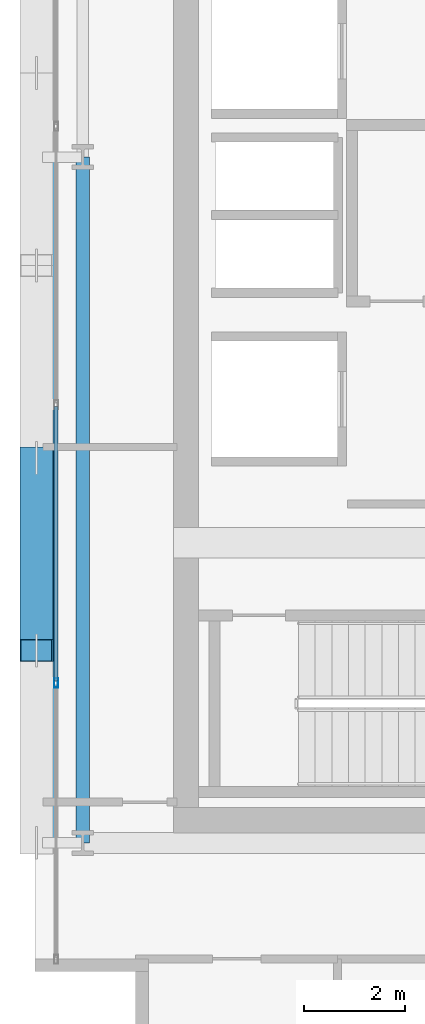
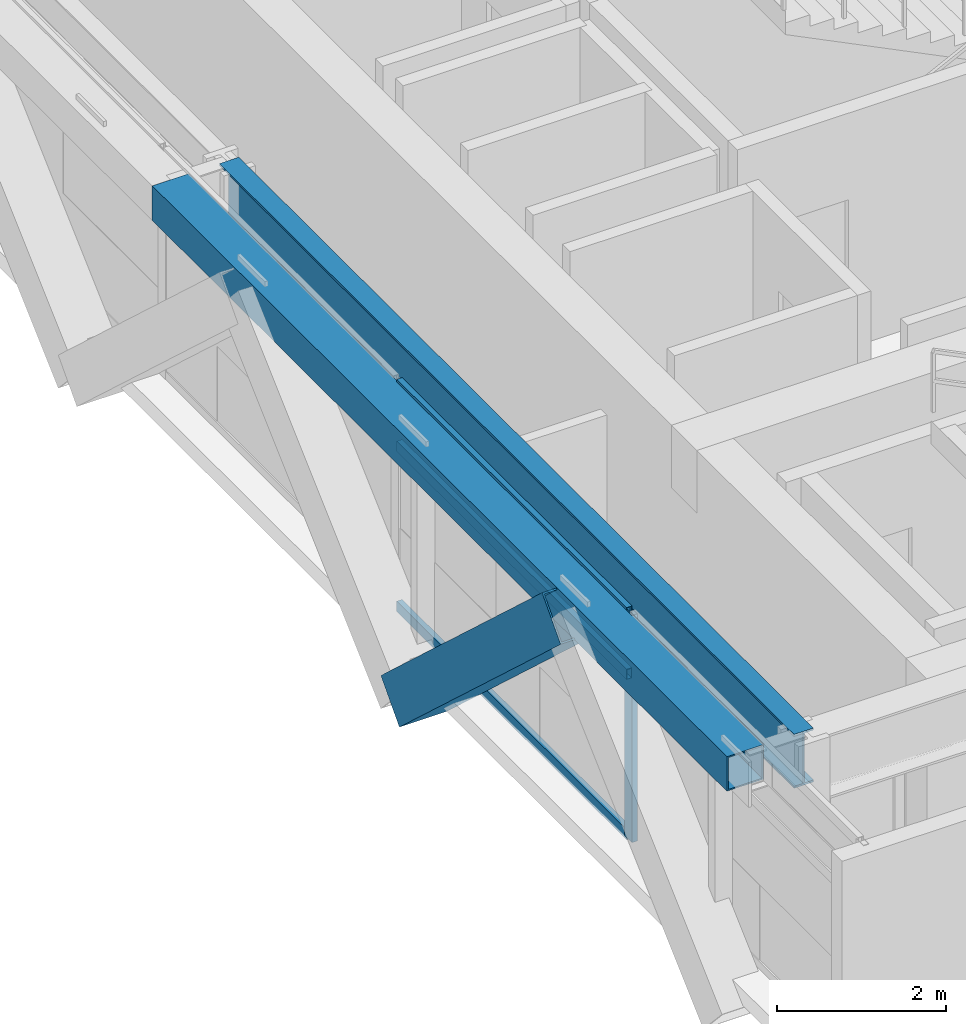
# One storey, part 4 of 32: 5 members, 2 beams, 1 element without a shape of its own.
"""IFC4 building model written with IfcOpenShell, lengths in metres."""

from ifc_helpers import new_model, si_unit, direction, frame, origin, origin_2d, place, context, subcontext, project, spatial, hollow_rectangle, i_section, extrude, source, transform, mapped, material, layer, layer_set, material_profile, profile_set, type_object, element, aggregate, save


model = new_model("IFC4")

# Units and contexts
model_context = context("Model", 3, precision=1e-05, world=origin(), true_north=direction((0.0, 1.0)))
body_context = subcontext(model_context, "Body", "Model", "MODEL_VIEW")
ifc_project = project(units=[si_unit("LENGTHUNIT", "METRE"), si_unit("AREAUNIT", "SQUARE_METRE"), si_unit("VOLUMEUNIT", "CUBIC_METRE"), si_unit("PLANEANGLEUNIT", "RADIAN"), si_unit("MASSUNIT", "GRAM", prefix="KILO")], contexts=[model_context])

# Site, building, storey
site_placement = place(None, origin())
site = spatial("IfcSite", under=ifc_project, at=site_placement, CompositionType="ELEMENT")
building_placement = place(site_placement, origin())
building = spatial("IfcBuilding", under=site, at=building_placement, Name="Ocotamira Hotel", CompositionType="ELEMENT")
storey_placement = place(building_placement, frame((0.0, 0.0, 217.199951171875)))
storey = spatial("IfcBuildingStorey", under=building, at=storey_placement, Name="L55", CompositionType="ELEMENT", Elevation=217.199951171875)

# Beams
ifc_material_1 = material(Name="Steel ASTM A992 Grade 50", Category="steel")
ifc_material_profile_1 = material_profile(ifc_material_1, i_section(OverallWidth=0.26611328125, OverallDepth=0.779052734375, WebThickness=0.0166015625, FlangeThickness=0.030029296875, FilletRadius=0.01806640625, at=origin_2d()), Name="W30X148")
ifc_profile_set_1 = profile_set([ifc_material_profile_1], Name="Steel ASTM A992 Grade 50")
beam_type_1 = type_object("IfcBeamType", Name="BM-GIRD-W30X148", PredefinedType="BEAM", material=ifc_profile_set_1)
shared_shape_1 = source(origin(), body_context, "Body", "SweptSolid", [
    extrude(i_section(OverallWidth=0.26611328125, OverallDepth=0.779052734375, WebThickness=0.0166015625, FlangeThickness=0.030029296875, FilletRadius=0.01806640625, at=origin_2d()), origin(), (0.0, 0.0, 1.0), 13.599853515625),
])
beam_1_placement = place(storey_placement, frame((8.949951171875, 14.550048828125, 2.890625), z_axis=(0.0, 1.0, 0.0), x_axis=(-1.0, 0.0, 0.0)))
element("IfcBeam", 1, at=beam_1_placement, inside=storey, type_object=beam_type_1, Name="L55 Beam X8.95 Y14.55-28.15", PredefinedType="BEAM", context=body_context, shape_type="MappedRepresentation", body=[
    mapped(shared_shape_1, transform((0.0, 0.0, 0.0), scale=1.0)),
])
ifc_material_2 = material(Name="Steel ASTM A500 Grade C", Category="steel")
ifc_material_profile_2 = material_profile(ifc_material_2, hollow_rectangle(XDim=0.5, YDim=0.5, WallThickness=0.02001953125, at=origin_2d()), Name="HSS500X500X20")
ifc_profile_set_2 = profile_set([ifc_material_profile_2], Name="Steel ASTM A500 Grade C")
beam_type_2 = type_object("IfcBeamType", Name="BM-SPAN-HSS500", PredefinedType="USERDEFINED", material=ifc_profile_set_2)
shared_shape_2 = source(origin(), body_context, "Body", "SweptSolid", [
    extrude(hollow_rectangle(XDim=0.5, YDim=0.5, WallThickness=0.02001953125, at=origin_2d()), origin(), (0.0, 0.0, 1.0), 13.599853515625),
])
beam_2_placement = place(storey_placement, frame((8.14990234375, 14.550048828125, 3.030029296875), z_axis=(0.0, 1.0, 0.0), x_axis=(-1.0, 0.0, 0.0)))
element("IfcBeam", 2, at=beam_2_placement, inside=storey, type_object=beam_type_2, Name="L55 Edge Spandrel W Y14.55-28.15", ObjectType="SPANDREL", PredefinedType="USERDEFINED", context=body_context, shape_type="MappedRepresentation", body=[
    mapped(shared_shape_2, transform((0.0, 0.0, 0.0), scale=1.0)),
])

# Member
ifc_material_3 = material(Name="Pale-metal coated steel ASTM A913 Grade 65", Category="steel")
ifc_material_profile_3 = material_profile(ifc_material_3, hollow_rectangle(XDim=0.64990234375, YDim=0.64990234375, WallThickness=0.02197265625, at=origin_2d()), Name="BOX650X650X22")
ifc_profile_set_3 = profile_set([ifc_material_profile_3], Name="Pale-metal coated steel ASTM A913 Grade 65")
member_type_1 = type_object("IfcMemberType", Name="MEM-EXO-BOX650", PredefinedType="BRACE", material=ifc_profile_set_3)
shared_shape_3 = source(origin(), body_context, "Body", "SweptSolid", [
    extrude(hollow_rectangle(XDim=0.64990234375, YDim=0.64990234375, WallThickness=0.02197265625, at=origin_2d()), origin(), (0.0, 0.0, 1.0), 5.185302734375),
])
member_1_placement = place(storey_placement, frame((8.030029296875, 22.183349609375, -0.47998046875), z_axis=(0.0, -0.736056745537, 0.6769198382), x_axis=(1.0, 0.0, 0.0)))
element("IfcMember", 3, at=member_1_placement, inside=storey, type_object=member_type_1, Name="L55 Exoskeleton Diagrid W0.2", PredefinedType="BRACE", context=body_context, shape_type="MappedRepresentation", body=[
    mapped(shared_shape_3, transform((0.0, 0.0, 0.0), scale=1.0)),
])

# Curtain wall, members
ifc_material_4 = material(Name="Anodised pale-metal aluminium and solar glass", Category="aluminium")
ifc_layer = layer(ifc_material_4, 0.199951171875)
ifc_layer_set = layer_set([ifc_layer], Name="Anodised pale-metal aluminium and solar glass")
curtain_wall_type = type_object("IfcCurtainWallType", Name="CW-SYS4-Z3", PredefinedType="NOTDEFINED", material=ifc_layer_set)
curtain_wall_placement = place(storey_placement, origin())
curtain_wall = element("IfcCurtainWall", 4, at=curtain_wall_placement, inside=storey, type_object=curtain_wall_type, Name="L55 Curtain Wall CW-4 CW-L55-W", PredefinedType="NOTDEFINED")
ifc_material_5 = material(Name="Anodised pale-metal aluminium 6063-T6", Category="aluminium")
ifc_material_profile_4 = material_profile(ifc_material_5, hollow_rectangle(XDim=0.074951171875, YDim=0.14990234375, WallThickness=0.006103515625, at=origin_2d()), Name="HSS150X75X6")
ifc_profile_set_4 = profile_set([ifc_material_profile_4], Name="Anodised pale-metal aluminium 6063-T6")
member_type_2 = type_object("IfcMemberType", Name="CWT-150X75", PredefinedType="USERDEFINED", material=ifc_profile_set_4)
shared_shape_4 = source(origin(), body_context, "Body", "SweptSolid", [
    extrude(hollow_rectangle(XDim=0.074951171875, YDim=0.14990234375, WallThickness=0.006103515625, at=origin_2d()), origin(), (0.0, 0.0, 1.0), 5.43994140625),
])
member_2_placement = place(storey_placement, frame((8.419921875, 17.760009765625, 0.03759765625), z_axis=(0.0, 1.0, 0.0), x_axis=(-1.0, 0.0, 0.0)))
member_2 = element("IfcMember", 5, at=member_2_placement, type_object=member_type_2, Name="CW-4 transom 2.1", ObjectType="TRANSOM", PredefinedType="USERDEFINED", context=body_context, shape_type="MappedRepresentation", body=[
    mapped(shared_shape_4, transform((0.0, 0.0, 0.0), scale=1.0)),
])
member_3_placement = place(storey_placement, frame((8.419921875, 17.760009765625, 2.35009765625), z_axis=(0.0, 1.0, 0.0), x_axis=(-1.0, 0.0, 0.0)))
member_3 = element("IfcMember", 6, at=member_3_placement, type_object=member_type_2, Name="CW-4 transom 2.2", ObjectType="TRANSOM", PredefinedType="USERDEFINED", context=body_context, shape_type="MappedRepresentation", body=[
    mapped(shared_shape_4, transform((0.0, 0.0, 0.0), scale=1.0)),
])
member_4_placement = place(storey_placement, frame((8.419921875, 17.760009765625, 3.242431640625), z_axis=(0.0, 1.0, 0.0), x_axis=(-1.0, 0.0, 0.0)))
member_4 = element("IfcMember", 7, at=member_4_placement, type_object=member_type_2, Name="CW-4 transom 2.3", ObjectType="TRANSOM", PredefinedType="USERDEFINED", context=body_context, shape_type="MappedRepresentation", body=[
    mapped(shared_shape_4, transform((0.0, 0.0, 0.0), scale=1.0)),
])
ifc_material_profile_5 = material_profile(ifc_material_5, hollow_rectangle(XDim=0.080078125, YDim=0.179931640625, WallThickness=0.006103515625, at=origin_2d()), Name="HSS180X80X6")
ifc_profile_set_5 = profile_set([ifc_material_profile_5], Name="Anodised pale-metal aluminium 6063-T6")
member_type_3 = type_object("IfcMemberType", Name="CWM-180X75", PredefinedType="MULLION", material=ifc_profile_set_5)
shared_shape_5 = source(origin(), body_context, "Body", "SweptSolid", [
    extrude(hollow_rectangle(XDim=0.080078125, YDim=0.179931640625, WallThickness=0.006103515625, at=origin_2d()), origin(), (0.0, 0.0, 1.0), 3.280029296875),
])
member_5_placement = place(storey_placement, frame((8.419921875, 17.719970703125, 0.0), z_axis=(0.0, 0.0, 1.0), x_axis=(-1.0, 0.0, 0.0)))
member_5 = element("IfcMember", 8, at=member_5_placement, type_object=member_type_3, Name="CW-4 mullion 2", PredefinedType="MULLION", context=body_context, shape_type="MappedRepresentation", body=[
    mapped(shared_shape_5, transform((0.0, 0.0, 0.0), scale=1.0)),
])
aggregate(curtain_wall, [member_5, member_2, member_3, member_4])

save(model, "model.ifc")
